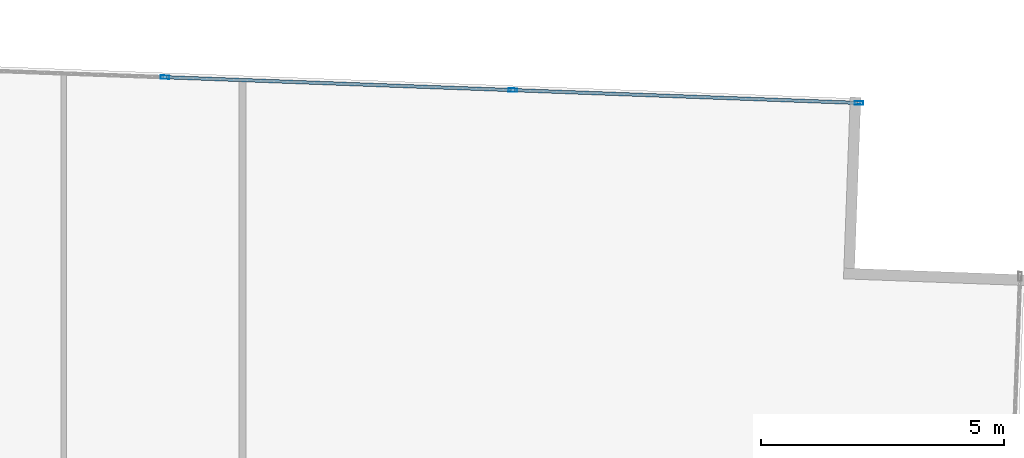
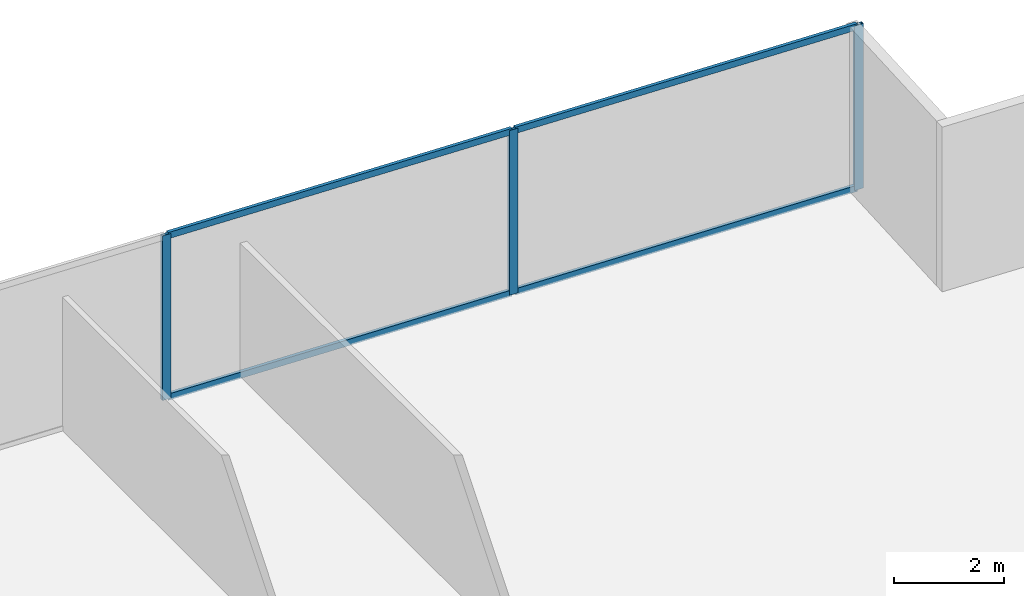
# One storey, part 25 of 30: 7 members, 1 element without a shape of its own.
"""IFC4 building model written with IfcOpenShell, lengths in metres."""

import ifcopenshell
import ifcopenshell.guid

model = None  # the IFC model being written
_history = None  # IfcOwnerHistory: only IFC2X3 demands one
_inside = {}  # id of a spatial element -> (the spatial element, [elements in it])
_under = {}  # id of a project, library or spatial element -> (it, [spatial elements below it])
_declared = {}  # id of a project -> (the project, [libraries it declares])
_typed = {}  # id of a type object -> (the type object, [elements of that type])
_made_of = {}  # id of a material, layer set ... -> (it, [elements and type objects made of it])


def new_model(schema):
    """Start an empty IFC model of exactly this schema.

    Asked for "IFC4X3", IfcOpenShell would pick the latest addendum, in which some entities
    have other attributes; the version numbers below select the first issue.
    IFC2X3 requires an IfcOwnerHistory on every rooted entity: one is made here for all.
    """
    global model, _history
    if schema == "IFC4X3":
        model = ifcopenshell.file(schema_version=(4, 3, 0, 0))
    else:
        model = ifcopenshell.file(schema=schema)
    _inside.clear()
    _under.clear()
    _declared.clear()
    _typed.clear()
    _made_of.clear()
    _history = None
    if model.schema == "IFC2X3":
        org = make("IfcOrganization", Name="unknown")
        user = make(
            "IfcPersonAndOrganization",
            ThePerson=make("IfcPerson", FamilyName="unknown"),
            TheOrganization=org,
        )
        app = make(
            "IfcApplication",
            ApplicationDeveloper=org,
            Version="unknown",
            ApplicationFullName="unknown",
            ApplicationIdentifier="unknown",
        )
        _history = make(
            "IfcOwnerHistory",
            OwningUser=user,
            OwningApplication=app,
            ChangeAction="ADDED",
            CreationDate=0,
        )
    return model


def make(cls, **values):
    """One entity of the class cls with the attributes given. An attribute that is None is left unset."""
    return model.create_entity(
        cls, **{name: value for name, value in values.items() if value is not None}
    )


def rooted(cls, **values):
    """An entity with a GlobalId (a new one), such as an element, a storey or a relation."""
    return make(cls, GlobalId=ifcopenshell.guid.new(), OwnerHistory=_history, **values)


def si_unit(unit_type, name, prefix=None):
    """IfcSIUnit, for example si_unit("LENGTHUNIT", "METRE", prefix="MILLI")."""
    return make("IfcSIUnit", UnitType=unit_type, Prefix=prefix, Name=name)


def assignment(units):
    """IfcUnitAssignment: the units of a project."""
    return None if units is None else make("IfcUnitAssignment", Units=units)


def point(xyz):
    """IfcCartesianPoint."""
    return None if xyz is None else make("IfcCartesianPoint", Coordinates=xyz)


def direction(xyz):
    """IfcDirection."""
    return None if xyz is None else make("IfcDirection", DirectionRatios=xyz)


def frame(location, z_axis=None, x_axis=None):
    """IfcAxis2Placement3D, a coordinate frame: its origin and axes. An axis left out is left unset."""
    return make(
        "IfcAxis2Placement3D",
        Location=point(location),
        Axis=direction(z_axis),
        RefDirection=direction(x_axis),
    )


def frame_2d(location, x_axis=None):
    """IfcAxis2Placement2D, a coordinate frame in the plane: its origin and x axis."""
    return make(
        "IfcAxis2Placement2D", Location=point(location), RefDirection=direction(x_axis)
    )


def origin():
    """The frame at (0, 0, 0) with its axes left unset."""
    return frame((0.0, 0.0, 0.0))


def origin_2d():
    """The frame at (0, 0) in the plane with its x axis left unset."""
    return frame_2d((0.0, 0.0))


def place(relative_to, where):
    """IfcLocalPlacement: puts the frame where relative to a parent placement (None: the world)."""
    return make(
        "IfcLocalPlacement", PlacementRelTo=relative_to, RelativePlacement=where
    )


def context(
    kind, dimensions, precision=None, world=None, true_north=None, identifier=None
):
    """IfcGeometricRepresentationContext, for example the 3D "Model" context."""
    return make(
        "IfcGeometricRepresentationContext",
        ContextIdentifier=identifier,
        ContextType=kind,
        CoordinateSpaceDimension=dimensions,
        Precision=precision,
        WorldCoordinateSystem=world,
        TrueNorth=true_north,
    )


def subcontext(parent, identifier, kind, view, scale=None):
    """IfcGeometricRepresentationSubContext, for example "Body" below "Model"."""
    return make(
        "IfcGeometricRepresentationSubContext",
        ContextIdentifier=identifier,
        ContextType=kind,
        ParentContext=parent,
        TargetScale=scale,
        TargetView=view,
    )


def project(units=None, contexts=None):
    """IfcProject with its units and contexts."""
    return rooted(
        "IfcProject",
        Name="project",
        RepresentationContexts=contexts,
        UnitsInContext=assignment(units),
    )


def spatial(cls, under=None, at=None, **own):
    """A site, building, storey or space (cls), placed at a placement, below another one or the project."""
    s = rooted(cls, ObjectPlacement=at, **own)
    if under is not None:
        _under.setdefault(under.id(), (under, []))[1].append(s)
    return s


def profile(cls, at=None, kind="AREA", **sizes):
    """A parametric profile (cls). Its sizes go by their IFC names, for example OverallWidth=200.0."""
    return make(cls, ProfileType=kind, Position=at, **sizes)


def hollow_rectangle(**sizes):
    """IfcRectangleHollowProfileDef."""
    return profile("IfcRectangleHollowProfileDef", **sizes)


def extrude(swept, where, along, depth):
    """IfcExtrudedAreaSolid: the profile swept, set in the frame where, extruded along a direction by depth."""
    return make(
        "IfcExtrudedAreaSolid",
        SweptArea=swept,
        Position=where,
        ExtrudedDirection=direction(along),
        Depth=depth,
    )


def shape(context_of_items, identifier, shape_type, items):
    """IfcShapeRepresentation: the items that make up one representation, for example the "Body"."""
    return make(
        "IfcShapeRepresentation",
        ContextOfItems=context_of_items,
        RepresentationIdentifier=identifier,
        RepresentationType=shape_type,
        Items=items,
    )


def source(mapping_origin, context_of_items, identifier, shape_type, items):
    """IfcRepresentationMap: a shape defined once, which mapped items show again and again."""
    return make(
        "IfcRepresentationMap",
        MappingOrigin=mapping_origin,
        MappedRepresentation=shape(context_of_items, identifier, shape_type, items),
    )


def transform(
    local_origin,
    x_axis=None,
    y_axis=None,
    z_axis=None,
    scale=None,
    scale2=None,
    scale3=None,
    uniform=True,
):
    """IfcCartesianTransformationOperator3D, or its non-uniform kind. x_axis, y_axis, z_axis: its Axis1, 2, 3."""
    if uniform:
        return make(
            "IfcCartesianTransformationOperator3D",
            Axis1=direction(x_axis),
            Axis2=direction(y_axis),
            LocalOrigin=point(local_origin),
            Scale=scale,
            Axis3=direction(z_axis),
        )
    return make(
        "IfcCartesianTransformationOperator3DnonUniform",
        Axis1=direction(x_axis),
        Axis2=direction(y_axis),
        LocalOrigin=point(local_origin),
        Scale=scale,
        Axis3=direction(z_axis),
        Scale2=scale2,
        Scale3=scale3,
    )


def mapped(mapping_source, mapping_target):
    """IfcMappedItem: shows the shape of a source again, moved by a transform."""
    return make(
        "IfcMappedItem", MappingSource=mapping_source, MappingTarget=mapping_target
    )


def material(Name=None, Category=None):
    """IfcMaterial."""
    return make("IfcMaterial", Name=Name, Category=Category)


def material_profile(
    of_material, cross_section, Name=None, Category=None, Priority=None
):
    """IfcMaterialProfile: a cross section and its material."""
    return make(
        "IfcMaterialProfile",
        Name=Name,
        Material=of_material,
        Profile=cross_section,
        Priority=Priority,
        Category=Category,
    )


def profile_set(profiles, Name=None, composite=None):
    """IfcMaterialProfileSet."""
    return make(
        "IfcMaterialProfileSet",
        Name=Name,
        MaterialProfiles=profiles,
        CompositeProfile=composite,
    )


def made_of(thing, what):
    """Note that an element or type object is made of a material, layer set ...; save() writes the relation."""
    if what is not None:
        _made_of.setdefault(what.id(), (what, []))[1].append(thing)
    return thing


def type_object(cls, material=None, **own):
    """A type object (cls), such as IfcWallType, which elements share."""
    return made_of(rooted(cls, **own), material)


def type_shapes(of_type, sources):
    """Give a type object the sources (RepresentationMaps) that its elements show as mapped items."""
    of_type.RepresentationMaps = sources


def element(
    cls,
    number,
    at=None,
    inside=None,
    cuts=None,
    type_object=None,
    material=None,
    context=None,
    identifier="Body",
    shape_type=None,
    held_by="IfcProductDefinitionShape",
    body=None,
    shapes=None,
    **own,
):
    """One element of the class cls, such as IfcWall. Its Tag is "e" and its number.

    at: its placement. inside: the storey or other place that contains it. cuts: it is an
    opening in that element (IfcRelVoidsElement). A single representation is given by context,
    identifier, shape_type and body (its items); several are given by shapes. held_by: the class
    of the entity that holds the representations. save() writes the other relations.
    """
    e = rooted(cls, Tag="e%d" % number, ObjectPlacement=at, **own)
    if body is not None:
        shapes = [shape(context, identifier, shape_type, body)]
    if shapes is not None:
        e.Representation = make(held_by, Representations=shapes)
    if inside is not None:
        _inside.setdefault(inside.id(), (inside, []))[1].append(e)
    if cuts is not None:
        rooted(
            "IfcRelVoidsElement", RelatingBuildingElement=cuts, RelatedOpeningElement=e
        )
    if type_object is not None:
        _typed.setdefault(type_object.id(), (type_object, []))[1].append(e)
    return made_of(e, material)


def aggregate(whole, parts):
    """IfcRelAggregates: a whole, such as a stair, and the parts it consists of."""
    return rooted("IfcRelAggregates", RelatingObject=whole, RelatedObjects=parts)


def save(model, path):
    """Write the relations noted so far, then the file.

    IfcRelAggregates (storeys below a building ...), IfcRelContainedInSpatialStructure (elements
    in a storey), IfcRelDefinesByType, IfcRelAssociatesMaterial and IfcRelDeclares: one each for
    every whole, place, type object, material and project.
    """
    for whole, parts in _under.values():
        aggregate(whole, parts)
    for where, things in _inside.values():
        rooted(
            "IfcRelContainedInSpatialStructure",
            RelatedElements=things,
            RelatingStructure=where,
        )
    for kind, things in _typed.values():
        rooted("IfcRelDefinesByType", RelatedObjects=things, RelatingType=kind)
    for what, things in _made_of.values():
        rooted("IfcRelAssociatesMaterial", RelatedObjects=things, RelatingMaterial=what)
    for by, libraries in _declared.values():
        rooted("IfcRelDeclares", RelatingContext=by, RelatedDefinitions=libraries)
    model.write(path)


model = new_model("IFC4")

# Units and contexts
model_context = context("Model", 3, precision=1e-05, world=origin(), true_north=direction((0.0, 1.0)))
body_context = subcontext(model_context, "Body", "Model", "MODEL_VIEW")
ifc_project = project(units=[si_unit("LENGTHUNIT", "METRE"), si_unit("AREAUNIT", "SQUARE_METRE"), si_unit("VOLUMEUNIT", "CUBIC_METRE"), si_unit("PLANEANGLEUNIT", "RADIAN"), si_unit("MASSUNIT", "GRAM", prefix="KILO")], contexts=[model_context])

# Site, building, storey
site_placement = place(None, origin())
site = spatial("IfcSite", under=ifc_project, at=site_placement, CompositionType="ELEMENT")
building_placement = place(site_placement, origin())
building = spatial("IfcBuilding", under=site, at=building_placement, Name="Krantzveldt Concourse Tower", CompositionType="ELEMENT")
storey_placement = place(building_placement, frame((0.0, 0.0, 40.800048828125)))
storey = spatial("IfcBuildingStorey", under=building, at=storey_placement, Name="L09", CompositionType="ELEMENT", Elevation=40.800048828125)

# Curtain wall, members
ifc_material = material(Name="Anodised aluminium 6063-T6", Category="aluminium")
curtain_wall_type = type_object("IfcCurtainWallType", Name="CW2", PredefinedType="USERDEFINED", material=ifc_material)
curtain_wall_placement = place(storey_placement, origin())
curtain_wall = element("IfcCurtainWall", 1, at=curtain_wall_placement, inside=storey, type_object=curtain_wall_type, Name="CW-L09-F10", ObjectType="UNITISED CURTAIN WALL", PredefinedType="USERDEFINED")
ifc_material_profile_1 = material_profile(ifc_material, hollow_rectangle(XDim=0.070068359375, YDim=0.179931640625, WallThickness=0.0048828125, at=origin_2d()), Name="Anodised aluminium 6063-T6", Category="aluminium")
ifc_profile_set_1 = profile_set([ifc_material_profile_1], Name="Anodised aluminium 6063-T6 - ALU-MULL 180x70x5")
member_type_1 = type_object("IfcMemberType", Name="CW-MUL-180", PredefinedType="MULLION", material=ifc_profile_set_1)
shared_shape_1 = source(origin(), body_context, "Body", "SweptSolid", [
    extrude(hollow_rectangle(XDim=0.070068359375, YDim=0.179931640625, WallThickness=0.0048828125, at=origin_2d()), origin(), (0.0, 0.0, 1.0), 3.669921875),
])
type_shapes(member_type_1, [shared_shape_1])
member_1_placement = place(storey_placement, frame((58.373779296875, 50.796875, 0.0), z_axis=(0.0, 0.0, 1.0), x_axis=(-0.037079766834, -0.999312308986, 0.0)))
member_1 = element("IfcMember", 2, at=member_1_placement, type_object=member_type_1, Name="CW-Z12 mullion 1", PredefinedType="MULLION", context=body_context, shape_type="MappedRepresentation", body=[
    mapped(shared_shape_1, transform((0.0, 0.0, 0.0), x_axis=(1.0, 0.0, 0.0), y_axis=(0.0, 1.0, 0.0), z_axis=(0.0, 0.0, 1.0), scale=1.0)),
])
member_2_placement = place(storey_placement, frame((51.2470703125, 51.061279296875, 0.0), z_axis=(0.0, 0.0, 1.0), x_axis=(-0.037079766834, -0.999312308986, 0.0)))
member_2 = element("IfcMember", 3, at=member_2_placement, type_object=member_type_1, Name="CW-Z12 mullion 2", PredefinedType="MULLION", context=body_context, shape_type="MappedRepresentation", body=[
    mapped(shared_shape_1, transform((0.0, 0.0, 0.0), x_axis=(1.0, 0.0, 0.0), y_axis=(0.0, 1.0, 0.0), z_axis=(0.0, 0.0, 1.0), scale=1.0)),
])
member_3_placement = place(storey_placement, frame((44.08544921875, 51.3271484375, 0.0), z_axis=(0.0, 0.0, 1.0), x_axis=(-0.037079766834, -0.999312308986, 0.0)))
member_3 = element("IfcMember", 4, at=member_3_placement, type_object=member_type_1, Name="CW-Z12 mullion 3", PredefinedType="MULLION", context=body_context, shape_type="MappedRepresentation", body=[
    mapped(shared_shape_1, transform((0.0, 0.0, 0.0), x_axis=(1.0, 0.0, 0.0), y_axis=(0.0, 1.0, 0.0), z_axis=(0.0, 0.0, 1.0), scale=1.0)),
])
ifc_material_profile_2 = material_profile(ifc_material, hollow_rectangle(XDim=0.070068359375, YDim=0.139892578125, WallThickness=0.0048828125, at=origin_2d()), Name="Anodised aluminium 6063-T6", Category="aluminium")
ifc_profile_set_2 = profile_set([ifc_material_profile_2], Name="Anodised aluminium 6063-T6 - ALU-TRAN 140x70x5")
member_type_2 = type_object("IfcMemberType", Name="CW-TRN-150", PredefinedType="USERDEFINED", material=ifc_profile_set_2)
shared_shape_2 = source(origin(), body_context, "Body", "SweptSolid", [
    extrude(hollow_rectangle(XDim=0.070068359375, YDim=0.139892578125, WallThickness=0.0048828125, at=origin_2d()), origin(), (0.0, 0.0, 1.0), 7.0615234375),
])
member_4_placement = place(storey_placement, frame((58.3388671875, 50.79833984375, 0.034912109375), z_axis=(-0.999312938018, 0.037062810322, 0.0), x_axis=(-0.037062810322, -0.999312938018, 0.0)))
member_4 = element("IfcMember", 5, at=member_4_placement, type_object=member_type_2, Name="CW-Z12 transom 1.1", ObjectType="TRANSOM", PredefinedType="USERDEFINED", context=body_context, shape_type="MappedRepresentation", body=[
    mapped(shared_shape_2, transform((0.0, 0.0, 0.0), x_axis=(1.0, 0.0, 0.0), y_axis=(0.0, 1.0, 0.0), z_axis=(0.0, 0.0, 1.0), scale=1.0)),
])
member_5_placement = place(storey_placement, frame((58.3388671875, 50.79833984375, 3.635009765625), z_axis=(-0.999312938018, 0.037062810322, 0.0), x_axis=(-0.037062810322, -0.999312938018, 0.0)))
member_5 = element("IfcMember", 6, at=member_5_placement, type_object=member_type_2, Name="CW-Z12 transom 1.2", ObjectType="TRANSOM", PredefinedType="USERDEFINED", context=body_context, shape_type="MappedRepresentation", body=[
    mapped(shared_shape_2, transform((0.0, 0.0, 0.0), x_axis=(1.0, 0.0, 0.0), y_axis=(0.0, 1.0, 0.0), z_axis=(0.0, 0.0, 1.0), scale=1.0)),
])
shared_shape_3 = source(origin(), body_context, "Body", "SweptSolid", [
    extrude(hollow_rectangle(XDim=0.070068359375, YDim=0.139892578125, WallThickness=0.0048828125, at=origin_2d()), origin(), (0.0, 0.0, 1.0), 7.0966796875),
])
type_shapes(member_type_2, [shared_shape_2, shared_shape_3])
member_6_placement = place(storey_placement, frame((51.212158203125, 51.062744140625, 0.034912109375), z_axis=(-0.999312097724, 0.037085459975, 0.0), x_axis=(-0.037085459975, -0.999312097724, 0.0)))
member_6 = element("IfcMember", 7, at=member_6_placement, type_object=member_type_2, Name="CW-Z12 transom 2.1", ObjectType="TRANSOM", PredefinedType="USERDEFINED", context=body_context, shape_type="MappedRepresentation", body=[
    mapped(shared_shape_3, transform((0.0, 0.0, 0.0), x_axis=(1.0, 0.0, 0.0), y_axis=(0.0, 1.0, 0.0), z_axis=(0.0, 0.0, 1.0), scale=1.0)),
])
member_7_placement = place(storey_placement, frame((51.212158203125, 51.062744140625, 3.635009765625), z_axis=(-0.999312097724, 0.037085459975, 0.0), x_axis=(-0.037085459975, -0.999312097724, 0.0)))
member_7 = element("IfcMember", 8, at=member_7_placement, type_object=member_type_2, Name="CW-Z12 transom 2.2", ObjectType="TRANSOM", PredefinedType="USERDEFINED", context=body_context, shape_type="MappedRepresentation", body=[
    mapped(shared_shape_3, transform((0.0, 0.0, 0.0), x_axis=(1.0, 0.0, 0.0), y_axis=(0.0, 1.0, 0.0), z_axis=(0.0, 0.0, 1.0), scale=1.0)),
])
aggregate(curtain_wall, [member_1, member_2, member_3, member_4, member_5, member_6, member_7])

save(model, "model.ifc")
